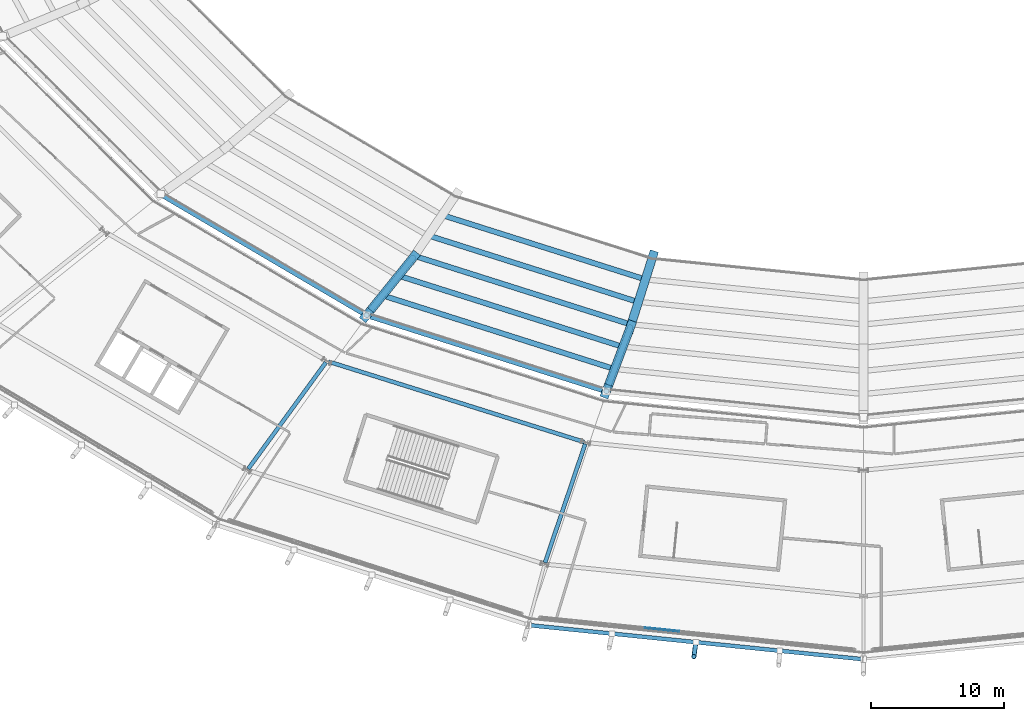
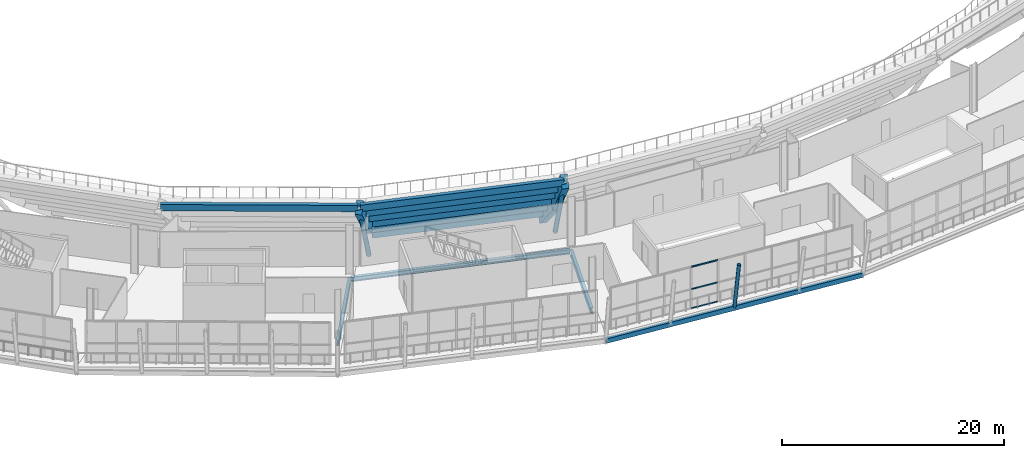
# One storey, part 21 of 126: 14 beams, 6 members, 1 element without a shape of its own.
"""IFC4 building model written with IfcOpenShell, lengths in metres."""

from ifc_helpers import new_model, si_unit, direction, frame, origin, origin_2d, place, context, subcontext, project, spatial, rectangle, hollow_rectangle, hollow_circle, i_section, extrude, material, material_profile, profile_set, type_object, element, aggregate, save


model = new_model("IFC4")

# Units and contexts
model_context = context("Model", 3, precision=1e-05, world=origin(), true_north=direction((0.0, 1.0)))
body_context = subcontext(model_context, "Body", "Model", "MODEL_VIEW")
ifc_project = project(units=[si_unit("LENGTHUNIT", "METRE"), si_unit("AREAUNIT", "SQUARE_METRE"), si_unit("VOLUMEUNIT", "CUBIC_METRE"), si_unit("PLANEANGLEUNIT", "RADIAN"), si_unit("MASSUNIT", "GRAM", prefix="KILO")], contexts=[model_context])

# Site, building, storey
site_placement = place(None, origin())
site = spatial("IfcSite", under=ifc_project, at=site_placement, CompositionType="ELEMENT")
building_placement = place(site_placement, origin())
building = spatial("IfcBuilding", under=site, at=building_placement, Name="Zlatoyarsky Gate Stadium", CompositionType="ELEMENT")
storey_placement = place(building_placement, frame((0.0, 0.0, 20.800048828125)))
storey = spatial("IfcBuildingStorey", under=building, at=storey_placement, Name="L04", CompositionType="ELEMENT", Elevation=20.800048828125)

# Curtain wall, members
ifc_material_1 = material(Name="Thermally broken anodised aluminium curtain wall", Category="aluminium")
curtain_wall_type = type_object("IfcCurtainWallType", Name="UNITISED MEDIA RING GLAZING L04", PredefinedType="USERDEFINED", material=ifc_material_1)
curtain_wall_placement = place(storey_placement, origin())
curtain_wall = element("IfcCurtainWall", 1, at=curtain_wall_placement, inside=storey, type_object=curtain_wall_type, Name="Curtain wall CW-L04-17", ObjectType="UNITISED GLAZING", PredefinedType="USERDEFINED")
ifc_material_2 = material(Name="Anodised aluminium 6063-T6", Category="aluminium")
ifc_material_profile_1 = material_profile(ifc_material_2, rectangle(XDim=0.06494140625, YDim=0.139892578125, at=origin_2d()), Name="ALU 65X140")
ifc_profile_set_1 = profile_set([ifc_material_profile_1], Name="Anodised aluminium 6063-T6")
member_type_1 = type_object("IfcMemberType", Name="ALUMINIUM TRANSOM 65X140", PredefinedType="USERDEFINED", material=ifc_profile_set_1)
member_1_placement = place(storey_placement, frame((94.498779296875, 6.6103515625, 0.032470703125), z_axis=(0.994859690225, -0.101263007879, 0.0), x_axis=(0.101263007879, 0.994859690225, 0.0)))
member_1 = element("IfcMember", 2, at=member_1_placement, type_object=member_type_1, Name="CW-UG4 transom 4.1", ObjectType="TRANSOM", PredefinedType="USERDEFINED", context=body_context, shape_type="SweptSolid", body=[
    extrude(rectangle(XDim=0.06494140625, YDim=0.139892578125, at=origin_2d()), origin(), (0.0, 0.0, 1.0), 2.5966796875),
])
member_2_placement = place(storey_placement, frame((94.498779296875, 6.6103515625, 2.14990234375), z_axis=(0.994859690225, -0.101263007879, 0.0), x_axis=(0.101263007879, 0.994859690225, 0.0)))
member_2 = element("IfcMember", 3, at=member_2_placement, type_object=member_type_1, Name="CW-UG4 transom 4.2", ObjectType="TRANSOM", PredefinedType="USERDEFINED", context=body_context, shape_type="SweptSolid", body=[
    extrude(rectangle(XDim=0.06494140625, YDim=0.139892578125, at=origin_2d()), origin(), (0.0, 0.0, 1.0), 2.5966796875),
])
member_3_placement = place(storey_placement, frame((94.498779296875, 6.6103515625, 4.58740234375), z_axis=(0.994859690225, -0.101263007879, 0.0), x_axis=(0.101263007879, 0.994859690225, 0.0)))
member_3 = element("IfcMember", 4, at=member_3_placement, type_object=member_type_1, Name="CW-UG4 transom 4.3", ObjectType="TRANSOM", PredefinedType="USERDEFINED", context=body_context, shape_type="SweptSolid", body=[
    extrude(rectangle(XDim=0.06494140625, YDim=0.139892578125, at=origin_2d()), origin(), (0.0, 0.0, 1.0), 2.5966796875),
])
aggregate(curtain_wall, [member_1, member_2, member_3])

# Beams
ifc_material_3 = material(Name="Concrete C40/50", Category="concrete")
ifc_material_profile_2 = material_profile(ifc_material_3, rectangle(XDim=0.39990234375, YDim=0.699951171875, at=origin_2d()), Name="RC BEAM 400X700")
ifc_profile_set_2 = profile_set([ifc_material_profile_2], Name="Concrete C40/50")
beam_type_1 = type_object("IfcBeamType", Name="CONCRETE FLOOR BEAM 400X700", PredefinedType="BEAM", material=ifc_profile_set_2)
beam_1_placement = place(storey_placement, frame((58.05322265625, 39.290771484375, 4.18994140625), z_axis=(0.861910267073, -0.507060836108, 0.0), x_axis=(0.507060836108, 0.861910267073, 0.0)))
element("IfcBeam", 5, at=beam_1_placement, inside=storey, type_object=beam_type_1, Name="Upper bowl step tie beam 15.6", PredefinedType="BEAM", context=body_context, shape_type="SweptSolid", body=[
    extrude(rectangle(XDim=0.39990234375, YDim=0.699951171875, at=origin_2d()), origin(), (0.0, 0.0, 1.0), 17.821533203125),
])
beam_2_placement = place(storey_placement, frame((79.22021484375, 37.751220703125, -5.31005859375), z_axis=(0.953318916024, -0.301965303223, 0.0), x_axis=(0.301965303223, 0.953318916024, 0.0)))
element("IfcBeam", 6, at=beam_2_placement, inside=storey, type_object=beam_type_1, Name="Upper bowl step tie beam 16.1", PredefinedType="BEAM", context=body_context, shape_type="SweptSolid", body=[
    extrude(rectangle(XDim=0.39990234375, YDim=0.699951171875, at=origin_2d()), origin(), (0.0, 0.0, 1.0), 15.928466796875),
])
beam_3_placement = place(storey_placement, frame((78.09521484375, 36.235595703125, -3.41015625), z_axis=(0.953267025666, -0.302129074699, 0.0), x_axis=(0.302129074699, 0.953267025666, 0.0)))
element("IfcBeam", 7, at=beam_3_placement, inside=storey, type_object=beam_type_1, Name="Upper bowl step tie beam 16.2", PredefinedType="BEAM", context=body_context, shape_type="SweptSolid", body=[
    extrude(rectangle(XDim=0.39990234375, YDim=0.699951171875, at=origin_2d()), origin(), (0.0, 0.0, 1.0), 16.498291015625),
])
beam_4_placement = place(storey_placement, frame((76.97021484375, 34.719970703125, -1.510009765625), z_axis=(0.953219882342, -0.302277779381, 0.0), x_axis=(0.302277779381, 0.953219882342, 0.0)))
element("IfcBeam", 8, at=beam_4_placement, inside=storey, type_object=beam_type_1, Name="Upper bowl step tie beam 16.3", PredefinedType="BEAM", context=body_context, shape_type="SweptSolid", body=[
    extrude(rectangle(XDim=0.39990234375, YDim=0.699951171875, at=origin_2d()), origin(), (0.0, 0.0, 1.0), 17.068603515625),
])
beam_5_placement = place(storey_placement, frame((75.84521484375, 33.204345703125, 0.389892578125), z_axis=(0.953175765869, -0.302416863551, 0.0), x_axis=(0.302416863551, 0.953175765869, 0.0)))
element("IfcBeam", 9, at=beam_5_placement, inside=storey, type_object=beam_type_1, Name="Upper bowl step tie beam 16.4", PredefinedType="BEAM", context=body_context, shape_type="SweptSolid", body=[
    extrude(rectangle(XDim=0.39990234375, YDim=0.699951171875, at=origin_2d()), origin(), (0.0, 0.0, 1.0), 17.638671875),
])
beam_6_placement = place(storey_placement, frame((74.72021484375, 31.688720703125, 2.2900390625), z_axis=(0.953138260142, -0.302535050949, 0.0), x_axis=(0.302535050949, 0.953138260142, 0.0)))
element("IfcBeam", 10, at=beam_6_placement, inside=storey, type_object=beam_type_1, Name="Upper bowl step tie beam 16.5", PredefinedType="BEAM", context=body_context, shape_type="SweptSolid", body=[
    extrude(rectangle(XDim=0.39990234375, YDim=0.699951171875, at=origin_2d()), origin(), (0.0, 0.0, 1.0), 18.208740234375),
])
beam_7_placement = place(storey_placement, frame((73.59521484375, 30.173095703125, 4.18994140625), z_axis=(0.953099268139, -0.302657868018, 0.0), x_axis=(0.302657868018, 0.953099268139, 0.0)))
element("IfcBeam", 11, at=beam_7_placement, inside=storey, type_object=beam_type_1, Name="Upper bowl step tie beam 16.6", PredefinedType="BEAM", context=body_context, shape_type="SweptSolid", body=[
    extrude(rectangle(XDim=0.39990234375, YDim=0.699951171875, at=origin_2d()), origin(), (0.0, 0.0, 1.0), 18.779052734375),
])
ifc_material_4 = material(Name="Precast concrete C40/50", Category="concrete")
ifc_material_profile_3 = material_profile(ifc_material_4, rectangle(XDim=0.64990234375, YDim=1.35009765625, at=origin_2d()), Name="PC RAKER 650X1350")
ifc_profile_set_3 = profile_set([ifc_material_profile_3], Name="Precast concrete C40/50")
beam_type_2 = type_object("IfcBeamType", Name="PRECAST UPPER BOWL RAKER 650X1350", PredefinedType="USERDEFINED", material=ifc_profile_set_3)
beam_8_placement = place(storey_placement, frame((77.0, 34.53369140625, -1.719970703125), z_axis=(-0.431059857301, -0.533292245333, 0.727864534437), x_axis=(0.777710300861, -0.628622850312, 0.0)))
element("IfcBeam", 12, at=beam_8_placement, inside=storey, type_object=beam_type_2, Name="Upper bowl radial raker 16 outer", ObjectType="RAKER", PredefinedType="USERDEFINED", context=body_context, shape_type="SweptSolid", body=[
    extrude(rectangle(XDim=0.64990234375, YDim=1.35009765625, at=origin_2d()), origin(), (0.0, 0.0, 1.0), 8.11962890625),
])
beam_9_placement = place(storey_placement, frame((95.08251953125, 34.6015625, -6.949951171875), z_axis=(-0.220102487858, -0.695159686253, 0.684330260508), x_axis=(0.953354623254, -0.301852550628, 0.0)))
element("IfcBeam", 13, at=beam_9_placement, inside=storey, type_object=beam_type_2, Name="Upper bowl radial raker 17 inner", ObjectType="RAKER", PredefinedType="USERDEFINED", context=body_context, shape_type="SweptSolid", body=[
    extrude(rectangle(XDim=0.64990234375, YDim=1.35009765625, at=origin_2d()), origin(), (0.0, 0.0, 1.0), 7.642578125),
])
beam_10_placement = place(storey_placement, frame((93.400390625, 29.288818359375, -1.719970703125), z_axis=(-0.230963388332, -0.615674133943, 0.753393173611), x_axis=(0.936286378911, -0.351237550192, 0.0)))
element("IfcBeam", 14, at=beam_10_placement, inside=storey, type_object=beam_type_2, Name="Upper bowl radial raker 17 outer", ObjectType="RAKER", PredefinedType="USERDEFINED", context=body_context, shape_type="SweptSolid", body=[
    extrude(rectangle(XDim=0.64990234375, YDim=1.35009765625, at=origin_2d()), origin(), (0.0, 0.0, 1.0), 7.844482421875),
])

# Members
ifc_material_5 = material(Name="Steel S355", Category="steel")
ifc_material_profile_4 = material_profile(ifc_material_5, hollow_circle(Radius=0.228515625, WallThickness=0.02490234375, at=origin_2d()), Name="CHS 457X25")
ifc_profile_set_4 = profile_set([ifc_material_profile_4], Name="Steel S355")
member_type_2 = type_object("IfcMemberType", Name="STEEL BACKSPAN TIE STRUT CHS 457X25", PredefinedType="STRUT", material=ifc_profile_set_4)
member_4_placement = place(storey_placement, frame((77.0, 34.53369140625, -4.85009765625), z_axis=(-0.329658233585, -0.407841687421, 0.851463802538), x_axis=(0.777710300861, -0.628622850312, 0.0)))
element("IfcMember", 15, at=member_4_placement, inside=storey, type_object=member_type_2, Name="Upper tier outer raker prop strut 16", PredefinedType="STRUT", context=body_context, shape_type="SweptSolid", body=[
    extrude(hollow_circle(Radius=0.228515625, WallThickness=0.02490234375, at=origin_2d()), origin(), (0.0, 0.0, 1.0), 10.616943359375),
])
member_5_placement = place(storey_placement, frame((93.400390625, 29.288818359375, -4.85009765625), z_axis=(-0.17407188051, -0.464019665846, 0.86855323966), x_axis=(0.936286378911, -0.351237550192, 0.0)))
element("IfcMember", 16, at=member_5_placement, inside=storey, type_object=member_type_2, Name="Upper tier outer raker prop strut 17", PredefinedType="STRUT", context=body_context, shape_type="SweptSolid", body=[
    extrude(hollow_circle(Radius=0.228515625, WallThickness=0.02490234375, at=origin_2d()), origin(), (0.0, 0.0, 1.0), 10.408203125),
])
ifc_material_profile_5 = material_profile(ifc_material_5, hollow_circle(Radius=0.177734375, WallThickness=0.02001953125, at=origin_2d()), Name="CHS 355.6X20")
ifc_profile_set_5 = profile_set([ifc_material_profile_5], Name="Steel S355")
member_type_3 = type_object("IfcMemberType", Name="STEEL LEANING RIB RING STRUT CHS 355.6X20", PredefinedType="STRUT", material=ifc_profile_set_5)
member_6_placement = place(storey_placement, frame((98.34765625, 5.521240234375, -0.550048828125), z_axis=(-0.025822463038, -0.196329902112, 0.98019782184), x_axis=(0.991461099372, -0.130402793039, 0.0)))
element("IfcMember", 17, at=member_6_placement, inside=storey, type_object=member_type_3, Name="Outward-leaning bowl louvre fin rib L04 17-2", PredefinedType="STRUT", context=body_context, shape_type="SweptSolid", body=[
    extrude(hollow_circle(Radius=0.177734375, WallThickness=0.02001953125, at=origin_2d()), origin(), (0.0, 0.0, 1.0), 5.5498046875),
])

# Beams
ifc_material_profile_6 = material_profile(ifc_material_5, hollow_rectangle(XDim=0.300048828125, YDim=0.5, WallThickness=0.02001953125, at=origin_2d()), Name="RHS 500X300X20")
ifc_profile_set_6 = profile_set([ifc_material_profile_6], Name="Steel S355")
beam_type_3 = type_object("IfcBeamType", Name="STEEL LOUVRE CARRIER SPANDREL RHS 500X300X20", PredefinedType="SPANDREL", material=ifc_profile_set_6)
beam_11_placement = place(storey_placement, frame((85.71533203125, 6.810302734375, -0.550048828125), z_axis=(0.994834717101, -0.10150805707, 0.0), x_axis=(0.10150805707, 0.994834717101, 0.0)))
element("IfcBeam", 18, at=beam_11_placement, inside=storey, type_object=beam_type_3, Name="Beam SP-RHS500 BM-L04-SPD-17", PredefinedType="SPANDREL", context=body_context, shape_type="SweptSolid", body=[
    extrude(hollow_rectangle(XDim=0.300048828125, YDim=0.5, WallThickness=0.02001953125, at=origin_2d()), origin(), (0.0, 0.0, 1.0), 25.395751953125),
])
ifc_material_profile_7 = material_profile(ifc_material_5, i_section(OverallWidth=0.300048828125, OverallDepth=0.5, WebThickness=0.014404296875, FlangeThickness=0.028076171875, FilletRadius=0.027099609375, at=origin_2d()), Name="HEB 500")
ifc_profile_set_7 = profile_set([ifc_material_profile_7], Name="Steel S355")
beam_type_4 = type_object("IfcBeamType", Name="STEEL PRIMARY GIRDER HEB 500", PredefinedType="BEAM", material=ifc_profile_set_7)
beam_12_placement = place(storey_placement, frame((70.614501953125, 26.703369140625, -0.550048828125), z_axis=(0.953937507984, -0.300005384719, 0.0), x_axis=(0.300005384719, 0.953937507984, 0.0)))
element("IfcBeam", 19, at=beam_12_placement, inside=storey, type_object=beam_type_4, Name="Beam G-HEB500 BM-L04-CRB-16", PredefinedType="BEAM", context=body_context, shape_type="SweptSolid", body=[
    extrude(i_section(OverallWidth=0.300048828125, OverallDepth=0.5, WebThickness=0.014404296875, FlangeThickness=0.028076171875, FilletRadius=0.027099609375, at=origin_2d()), origin(), (0.0, 0.0, 1.0), 20.239013671875),
])
ifc_material_profile_8 = material_profile(ifc_material_5, i_section(OverallWidth=0.300048828125, OverallDepth=0.60009765625, WebThickness=0.015380859375, FlangeThickness=0.030029296875, FilletRadius=0.027099609375, at=origin_2d()), Name="HEB 600")
ifc_profile_set_8 = profile_set([ifc_material_profile_8], Name="Steel S355")
beam_type_5 = type_object("IfcBeamType", Name="STEEL PRIMARY GIRDER HEB 600", PredefinedType="BEAM", material=ifc_profile_set_8)
beam_13_placement = place(storey_placement, frame((70.42919921875, 26.642333984375, -0.60009765625), z_axis=(-0.589228266457, -0.807966614415, 0.0), x_axis=(0.807966614415, -0.589228266457, 0.0)))
element("IfcBeam", 20, at=beam_13_placement, inside=storey, type_object=beam_type_5, Name="Beam G-HEB600 BM-L04-RBC-16", PredefinedType="BEAM", context=body_context, shape_type="SweptSolid", body=[
    extrude(i_section(OverallWidth=0.300048828125, OverallDepth=0.60009765625, WebThickness=0.015380859375, FlangeThickness=0.030029296875, FilletRadius=0.027099609375, at=origin_2d()), origin(), (0.0, 0.0, 1.0), 9.9423828125),
])
beam_14_placement = place(storey_placement, frame((89.997314453125, 20.48193359375, -0.60009765625), z_axis=(-0.320612225581, -0.947210536686, 0.0), x_axis=(0.947210536686, -0.320612225581, 0.0)))
element("IfcBeam", 21, at=beam_14_placement, inside=storey, type_object=beam_type_5, Name="Beam G-HEB600 BM-L04-RBC-17", PredefinedType="BEAM", context=body_context, shape_type="SweptSolid", body=[
    extrude(i_section(OverallWidth=0.300048828125, OverallDepth=0.60009765625, WebThickness=0.015380859375, FlangeThickness=0.030029296875, FilletRadius=0.027099609375, at=origin_2d()), origin(), (0.0, 0.0, 1.0), 9.44775390625),
])

save(model, "model.ifc")
